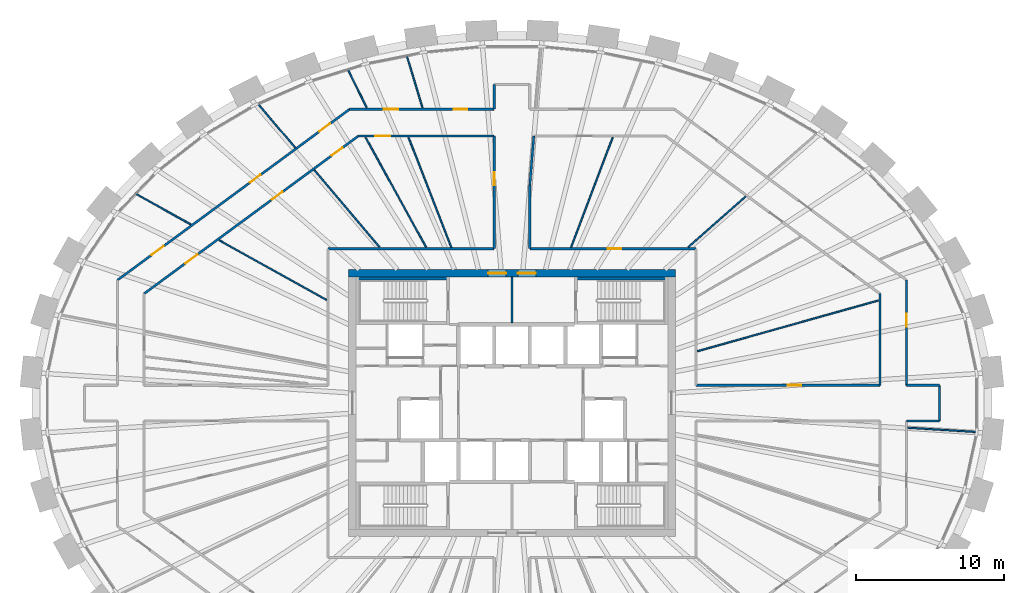
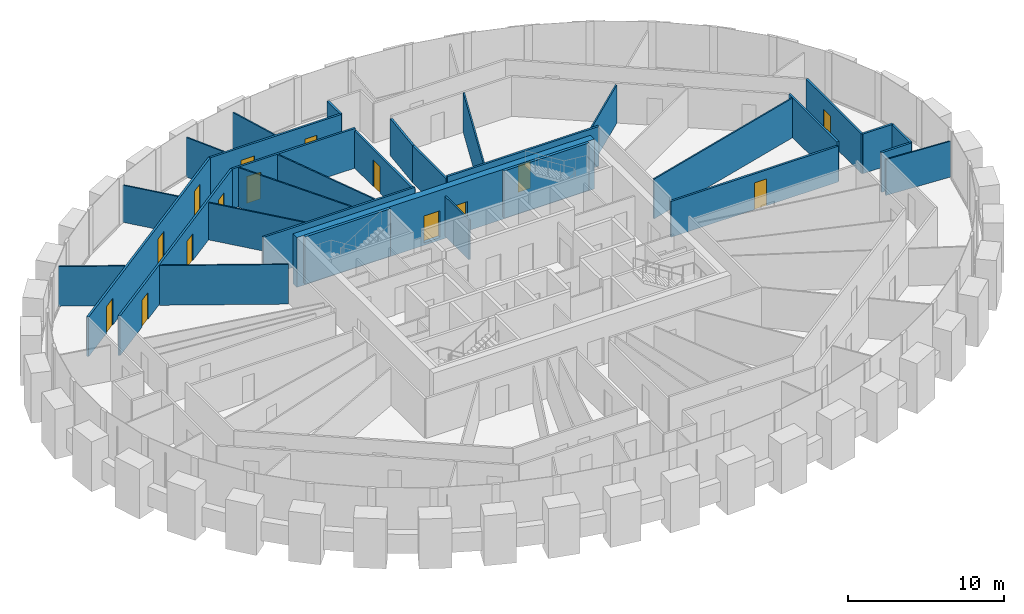
# One storey, part 10 of 12: 32 walls, 15 doors, 15 openings.
"""IFC4 building model written with IfcOpenShell, lengths in metres."""

from ifc_helpers import new_model, si_unit, direction, frame, frame_2d, origin, place, context, subcontext, project, spatial, rectangle, extrude, source, transform, mapped, material, layer, layer_set, type_object, element, fill, save


model = new_model("IFC4")

# Units and contexts
model_context = context("Model", 3, precision=1e-05, world=origin(), true_north=direction((0.0, 1.0)))
body_context = subcontext(model_context, "Body", "Model", "MODEL_VIEW")
ifc_project = project(units=[si_unit("LENGTHUNIT", "METRE"), si_unit("AREAUNIT", "SQUARE_METRE"), si_unit("VOLUMEUNIT", "CUBIC_METRE"), si_unit("PLANEANGLEUNIT", "RADIAN"), si_unit("MASSUNIT", "GRAM", prefix="KILO")], contexts=[model_context])

# Site, building, storey
site_placement = place(None, origin())
site = spatial("IfcSite", under=ifc_project, at=site_placement, CompositionType="ELEMENT")
building_placement = place(site_placement, origin())
building = spatial("IfcBuilding", under=site, at=building_placement, Name="Embergate Tower", CompositionType="ELEMENT")
storey_placement = place(building_placement, frame((0.0, 0.0, 269.5)))
storey = spatial("IfcBuildingStorey", under=building, at=storey_placement, Name="L62", CompositionType="ELEMENT", Elevation=269.5)

# Wall, openings, doors
ifc_material_1 = material(Name="Concrete C50", Category="concrete")
ifc_layer_1 = layer(ifc_material_1, 0.5)
ifc_layer_set_1 = layer_set([ifc_layer_1], Name="Concrete C50")
wall_type_1 = type_object("IfcWallType", Name="Core outer wall C50 500", PredefinedType="SHEAR", material=ifc_layer_set_1)
shared_shape_1 = source(origin(), body_context, "Body", "SweptSolid", [
    extrude(rectangle(XDim=22.0, YDim=0.5, at=frame_2d((11.0, 0.0))), origin(), (0.0, 0.0, 1.0), 3.89990234375),
])
wall_1_placement = place(storey_placement, frame((-11.0, 8.75, -0.199951171875), z_axis=(0.0, 0.0, 1.0), x_axis=(1.0, 0.0, 0.0)))
wall_1 = element("IfcWall", 1, at=wall_1_placement, inside=storey, type_object=wall_type_1, Name="CW-L62-N", PredefinedType="SHEAR", context=body_context, shape_type="MappedRepresentation", body=[
    mapped(shared_shape_1, transform((0.0, 0.0, 0.0))),
])
shared_shape_2 = source(origin(), body_context, "Body", "SweptSolid", [
    extrude(rectangle(XDim=1.199951171875, YDim=2.10009765625, at=frame_2d((0.60009765625, 1.050048828125))), frame((0.0, 0.260009765625, 0.0), z_axis=(0.0, -1.0, 0.0), x_axis=(1.0, 0.0, 0.0)), (0.0, 0.0, 1.0), 0.52001953125),
])
opening_1_placement = place(wall_1_placement, frame((9.39990234375, 0.0, 0.199951171875)))
opening_1 = element("IfcOpeningElement", 2, at=opening_1_placement, cuts=wall_1, Name="Opening IF-1", PredefinedType="OPENING", context=body_context, shape_type="MappedRepresentation", body=[
    mapped(shared_shape_2, transform((0.0, 0.0, 0.0))),
])
opening_2_placement = place(wall_1_placement, frame((11.39990234375, 0.0, 0.199951171875)))
opening_2 = element("IfcOpeningElement", 3, at=opening_2_placement, cuts=wall_1, Name="Opening IF-1", PredefinedType="OPENING", context=body_context, shape_type="MappedRepresentation", body=[
    mapped(shared_shape_2, transform((0.0, 0.0, 0.0))),
])
ifc_material_2 = material(Name="Escape fire door 1200")
door_type_1 = type_object("IfcDoorType", Name="Escape fire door 1200", OperationType="SINGLE_SWING_LEFT", PredefinedType="DOOR", material=ifc_material_2)
shared_shape_3 = source(origin(), body_context, "Body", "SweptSolid", [
    extrude(rectangle(XDim=1.199951171875, YDim=2.10009765625, at=frame_2d((0.60009765625, 1.050048828125))), frame((0.0, 0.02490234375, 0.0), z_axis=(0.0, -1.0, 0.0), x_axis=(1.0, 0.0, 0.0)), (0.0, 0.0, 1.0), 0.050048828125),
])
door_1_placement = place(opening_1_placement, origin())
door_1 = element("IfcDoor", 4, at=door_1_placement, inside=storey, type_object=door_type_1, Name="IF-1 door", OperationType="SINGLE_SWING_LEFT", OverallHeight=2.10009765625, OverallWidth=1.199951171875, PredefinedType="DOOR", context=body_context, shape_type="MappedRepresentation", body=[
    mapped(shared_shape_3, transform((0.0, 0.0, 0.0))),
])
fill(opening_1, door_1)
door_2_placement = place(opening_2_placement, origin())
door_2 = element("IfcDoor", 5, at=door_2_placement, inside=storey, type_object=door_type_1, Name="IF-1 door", OperationType="SINGLE_SWING_RIGHT", OverallHeight=2.10009765625, OverallWidth=1.199951171875, PredefinedType="DOOR", context=body_context, shape_type="MappedRepresentation", body=[
    mapped(shared_shape_3, transform((0.0, 0.0, 0.0))),
])
fill(opening_2, door_2)

# Walls
ifc_layer_2 = layer(ifc_material_1, 0.199951171875)
ifc_layer_set_2 = layer_set([ifc_layer_2], Name="Concrete C50")
wall_type_2 = type_object("IfcWallType", Name="Stair enclosure wall reinforced concrete 250", PredefinedType="SHEAR", material=ifc_layer_set_2)
shared_shape_4 = source(origin(), body_context, "Body", "SweptSolid", [
    extrude(rectangle(XDim=6.298095703125, YDim=0.199951171875, at=frame_2d((3.14892578125, 0.0))), origin(), (0.0, 0.0, 1.0), 3.699951171875),
])
for number, where, z_axis, x_axis, name in (
    (6, (-4.201904296875, 8.39990234375, 0.0), (0.0, 0.0, 1.0), (-1.0, 0.0, 0.0), "SE-1 wall"),
    (7, (10.5, 8.39990234375, 0.0), (0.0, 0.0, 1.0), (-1.0, 0.0, 0.0), "SE-1 wall"),
):
    element("IfcWall", number, at=place(storey_placement, frame(where, z_axis=z_axis, x_axis=x_axis)), inside=storey, type_object=wall_type_2, Name=name, PredefinedType="SHEAR", context=body_context, shape_type="MappedRepresentation", body=[
        mapped(shared_shape_4, transform((0.0, 0.0, 0.0))),
    ])

# Wall, opening, door
ifc_material_3 = material(Name="Corridor wall dry-lined 150")
ifc_layer_3 = layer(ifc_material_3, 0.14990234375)
ifc_layer_set_3 = layer_set([ifc_layer_3], Name="Corridor wall dry-lined 150")
wall_type_3 = type_object("IfcWallType", Name="Corridor wall dry-lined 150", PredefinedType="PARTITIONING", material=ifc_layer_set_3)
shared_shape_5 = source(origin(), body_context, "Body", "SweptSolid", [
    extrude(rectangle(XDim=11.199951171875, YDim=0.14990234375, at=frame_2d((5.60009765625, 0.0))), origin(), (0.0, 0.0, 1.0), 3.10009765625),
])
wall_2_placement = place(storey_placement, frame((1.199951171875, 10.39990234375, 0.0), z_axis=(0.0, 0.0, 1.0), x_axis=(1.0, 0.0, 0.0)))
wall_2 = element("IfcWall", 8, at=wall_2_placement, inside=storey, type_object=wall_type_3, Name="IP-2 wall", PredefinedType="PARTITIONING", context=body_context, shape_type="MappedRepresentation", body=[
    mapped(shared_shape_5, transform((0.0, 0.0, 0.0))),
])
shared_shape_6 = source(origin(), body_context, "Body", "SweptSolid", [
    extrude(rectangle(XDim=0.89990234375, YDim=2.10009765625, at=frame_2d((0.449951171875, 1.050048828125))), frame((0.0, 0.0849609375, 0.0), z_axis=(0.0, -1.0, 0.0), x_axis=(1.0, 0.0, 0.0)), (0.0, 0.0, 1.0), 0.169921875),
])
opening_3_placement = place(wall_2_placement, frame((5.248046875, 0.0, 0.0)))
opening_3 = element("IfcOpeningElement", 9, at=opening_3_placement, cuts=wall_2, Name="Opening IF-1c", PredefinedType="OPENING", context=body_context, shape_type="MappedRepresentation", body=[
    mapped(shared_shape_6, transform((0.0, 0.0, 0.0))),
])
ifc_material_4 = material(Name="Escape fire door 900")
door_type_2 = type_object("IfcDoorType", Name="Escape fire door 900", OperationType="SINGLE_SWING_LEFT", PredefinedType="DOOR", material=ifc_material_4)
shared_shape_7 = source(origin(), body_context, "Body", "SweptSolid", [
    extrude(rectangle(XDim=0.89990234375, YDim=2.10009765625, at=frame_2d((0.449951171875, 1.050048828125))), frame((0.0, 0.02490234375, 0.0), z_axis=(0.0, -1.0, 0.0), x_axis=(1.0, 0.0, 0.0)), (0.0, 0.0, 1.0), 0.050048828125),
])
door_3_placement = place(opening_3_placement, origin())
door_3 = element("IfcDoor", 10, at=door_3_placement, inside=storey, type_object=door_type_2, Name="IF-1 door", OperationType="SINGLE_SWING_RIGHT", OverallHeight=2.10009765625, OverallWidth=0.89990234375, PredefinedType="DOOR", context=body_context, shape_type="MappedRepresentation", body=[
    mapped(shared_shape_7, transform((0.0, 0.0, 0.0))),
])
fill(opening_3, door_3)

# Walls
wall_3_placement = place(storey_placement, frame((-12.39990234375, 10.39990234375, 0.0), z_axis=(0.0, 0.0, 1.0), x_axis=(1.0, 0.0, 0.0)))
element("IfcWall", 11, at=wall_3_placement, inside=storey, type_object=wall_type_3, Name="IP-2 wall", PredefinedType="PARTITIONING", context=body_context, shape_type="MappedRepresentation", body=[
    mapped(shared_shape_5, transform((0.0, 0.0, 0.0))),
])
shared_shape_8 = source(origin(), body_context, "Body", "SweptSolid", [
    extrude(rectangle(XDim=2.39990234375, YDim=0.14990234375, at=frame_2d((1.199951171875, 0.0))), origin(), (0.0, 0.0, 1.0), 3.10009765625),
])
wall_4_placement = place(storey_placement, frame((28.797119140625, -1.199951171875, 0.0), z_axis=(0.0, 0.0, 1.0), x_axis=(0.0, 1.0, 0.0)))
element("IfcWall", 12, at=wall_4_placement, inside=storey, type_object=wall_type_3, Name="IP-2 wall", PredefinedType="PARTITIONING", context=body_context, shape_type="MappedRepresentation", body=[
    mapped(shared_shape_8, transform((0.0, 0.0, 0.0))),
])
ifc_material_5 = material(Name="Core partition blockwork 120")
ifc_layer_4 = layer(ifc_material_5, 0.1201171875)
ifc_layer_set_4 = layer_set([ifc_layer_4], Name="Core partition blockwork 120")
wall_type_4 = type_object("IfcWallType", Name="Core partition blockwork 120", PredefinedType="PARTITIONING", material=ifc_layer_set_4)
shared_shape_9 = source(origin(), body_context, "Body", "SweptSolid", [
    extrude(rectangle(XDim=3.074951171875, YDim=0.1201171875, at=frame_2d((1.53759765625, 0.0))), origin(), (0.0, 0.0, 1.0), 3.10009765625),
])
wall_5_placement = place(storey_placement, frame((0.0, 5.425048828125, 0.0), z_axis=(0.0, 0.0, 1.0), x_axis=(0.0, 1.0, 0.0)))
element("IfcWall", 13, at=wall_5_placement, inside=storey, type_object=wall_type_4, Name="IP-3 wall", PredefinedType="PARTITIONING", context=body_context, shape_type="MappedRepresentation", body=[
    mapped(shared_shape_9, transform((0.0, 0.0, 0.0))),
])

# Wall, openings, doors
shared_shape_10 = source(origin(), body_context, "Body", "SweptSolid", [
    extrude(rectangle(XDim=19.429931640625, YDim=0.14990234375, at=frame_2d((9.71484375, 0.0))), origin(), (0.0, 0.0, 1.0), 3.10009765625),
])
wall_6_placement = place(storey_placement, frame((-10.93310546875, 19.802001953125, 0.0), z_axis=(0.0, 0.0, 1.0), x_axis=(-0.8053507143, -0.592798639486, 0.0)))
wall_6 = element("IfcWall", 14, at=wall_6_placement, inside=storey, type_object=wall_type_3, Name="IP-2 wall", PredefinedType="PARTITIONING", context=body_context, shape_type="MappedRepresentation", body=[
    mapped(shared_shape_10, transform((0.0, 0.0, 0.0))),
])
opening_4_placement = place(wall_6_placement, frame((1.64599609375, 0.0, 0.0)))
opening_4 = element("IfcOpeningElement", 15, at=opening_4_placement, cuts=wall_6, Name="Opening IF-1c", PredefinedType="OPENING", context=body_context, shape_type="MappedRepresentation", body=[
    mapped(shared_shape_6, transform((0.0, 0.0, 0.0))),
])
opening_5_placement = place(wall_6_placement, frame((7.449462890625, 0.0, 0.0)))
opening_5 = element("IfcOpeningElement", 16, at=opening_5_placement, cuts=wall_6, Name="Opening IF-1c", PredefinedType="OPENING", context=body_context, shape_type="MappedRepresentation", body=[
    mapped(shared_shape_6, transform((0.0, 0.0, 0.0))),
])
shared_shape_11 = source(origin(), body_context, "Body", "SweptSolid", [
    extrude(rectangle(XDim=1.0, YDim=2.10009765625, at=frame_2d((0.5, 1.050048828125))), frame((0.0, 0.0849609375, 0.0), z_axis=(0.0, -1.0, 0.0), x_axis=(1.0, 0.0, 0.0)), (0.0, 0.0, 1.0), 0.169921875),
])
opening_6_placement = place(wall_6_placement, frame((15.571044921875, 0.0, 0.0)))
opening_6 = element("IfcOpeningElement", 17, at=opening_6_placement, cuts=wall_6, Name="Opening ID-2", PredefinedType="OPENING", context=body_context, shape_type="MappedRepresentation", body=[
    mapped(shared_shape_11, transform((0.0, 0.0, 0.0))),
])
door_4_placement = place(opening_4_placement, origin())
door_4 = element("IfcDoor", 18, at=door_4_placement, inside=storey, type_object=door_type_2, Name="IF-1 door", OperationType="SINGLE_SWING_LEFT", OverallHeight=2.10009765625, OverallWidth=0.89990234375, PredefinedType="DOOR", context=body_context, shape_type="MappedRepresentation", body=[
    mapped(shared_shape_7, transform((0.0, 0.0, 0.0))),
])
fill(opening_4, door_4)
door_5_placement = place(opening_5_placement, origin())
door_5 = element("IfcDoor", 19, at=door_5_placement, inside=storey, type_object=door_type_2, Name="IF-1 door", OperationType="SINGLE_SWING_LEFT", OverallHeight=2.10009765625, OverallWidth=0.89990234375, PredefinedType="DOOR", context=body_context, shape_type="MappedRepresentation", body=[
    mapped(shared_shape_7, transform((0.0, 0.0, 0.0))),
])
fill(opening_5, door_5)
ifc_material_6 = material(Name="Interior door 1000")
door_type_3 = type_object("IfcDoorType", Name="Interior door 1000", OperationType="SINGLE_SWING_LEFT", PredefinedType="DOOR", material=ifc_material_6)
shared_shape_12 = source(origin(), body_context, "Body", "SweptSolid", [
    extrude(rectangle(XDim=1.0, YDim=2.10009765625, at=frame_2d((0.5, 1.050048828125))), frame((0.0, 0.02490234375, 0.0), z_axis=(0.0, -1.0, 0.0), x_axis=(1.0, 0.0, 0.0)), (0.0, 0.0, 1.0), 0.050048828125),
])
door_6_placement = place(opening_6_placement, origin())
door_6 = element("IfcDoor", 20, at=door_6_placement, inside=storey, type_object=door_type_3, Name="ID-2 door", OperationType="SINGLE_SWING_LEFT", OverallHeight=2.10009765625, OverallWidth=1.0, PredefinedType="DOOR", context=body_context, shape_type="MappedRepresentation", body=[
    mapped(shared_shape_12, transform((0.0, 0.0, 0.0))),
])
fill(opening_6, door_6)

shared_shape_13 = source(origin(), body_context, "Body", "SweptSolid", [
    extrude(rectangle(XDim=9.733154296875, YDim=0.14990234375, at=frame_2d((4.86669921875, 0.0))), origin(), (0.0, 0.0, 1.0), 3.10009765625),
])
wall_7_placement = place(storey_placement, frame((-10.93310546875, 19.802001953125, 0.0), z_axis=(0.0, 0.0, 1.0), x_axis=(1.0, 0.0, 0.0)))
wall_7 = element("IfcWall", 21, at=wall_7_placement, inside=storey, type_object=wall_type_3, Name="IP-2 wall", PredefinedType="PARTITIONING", context=body_context, shape_type="MappedRepresentation", body=[
    mapped(shared_shape_13, transform((0.0, 0.0, 0.0))),
])
opening_7_placement = place(wall_7_placement, frame((7.01611328125, 0.0, 0.0)))
opening_7 = element("IfcOpeningElement", 22, at=opening_7_placement, cuts=wall_7, Name="Opening IF-1c", PredefinedType="OPENING", context=body_context, shape_type="MappedRepresentation", body=[
    mapped(shared_shape_6, transform((0.0, 0.0, 0.0))),
])
opening_8_placement = place(wall_7_placement, frame((2.285888671875, 0.0, 0.0)))
opening_8 = element("IfcOpeningElement", 23, at=opening_8_placement, cuts=wall_7, Name="Opening ID-2", PredefinedType="OPENING", context=body_context, shape_type="MappedRepresentation", body=[
    mapped(shared_shape_11, transform((0.0, 0.0, 0.0))),
])
door_7_placement = place(opening_7_placement, origin())
door_7 = element("IfcDoor", 24, at=door_7_placement, inside=storey, type_object=door_type_2, Name="IF-1 door", OperationType="SINGLE_SWING_LEFT", OverallHeight=2.10009765625, OverallWidth=0.89990234375, PredefinedType="DOOR", context=body_context, shape_type="MappedRepresentation", body=[
    mapped(shared_shape_7, transform((0.0, 0.0, 0.0))),
])
fill(opening_7, door_7)
door_8_placement = place(opening_8_placement, origin())
door_8 = element("IfcDoor", 25, at=door_8_placement, inside=storey, type_object=door_type_3, Name="ID-2 door", OperationType="SINGLE_SWING_LEFT", OverallHeight=2.10009765625, OverallWidth=1.0, PredefinedType="DOOR", context=body_context, shape_type="MappedRepresentation", body=[
    mapped(shared_shape_12, transform((0.0, 0.0, 0.0))),
])
fill(opening_8, door_8)

shared_shape_14 = source(origin(), body_context, "Body", "SweptSolid", [
    extrude(rectangle(XDim=17.9287109375, YDim=0.14990234375, at=frame_2d((8.96435546875, 0.0))), origin(), (0.0, 0.0, 1.0), 3.10009765625),
])
wall_8_placement = place(storey_placement, frame((-24.781005859375, 7.3740234375, 0.0), z_axis=(0.0, 0.0, 1.0), x_axis=(0.805356928681, 0.592790196803, 0.0)))
wall_8 = element("IfcWall", 26, at=wall_8_placement, inside=storey, type_object=wall_type_3, Name="IP-2 wall", PredefinedType="PARTITIONING", context=body_context, shape_type="MappedRepresentation", body=[
    mapped(shared_shape_14, transform((0.0, 0.0, 0.0))),
])
opening_9_placement = place(wall_8_placement, frame((15.681396484375, 0.0, 0.0)))
opening_9 = element("IfcOpeningElement", 27, at=opening_9_placement, cuts=wall_8, Name="Opening IF-1c", PredefinedType="OPENING", context=body_context, shape_type="MappedRepresentation", body=[
    mapped(shared_shape_6, transform((0.0, 0.0, 0.0))),
])
opening_10_placement = place(wall_8_placement, frame((10.68408203125, 0.0, 0.0)))
opening_10 = element("IfcOpeningElement", 28, at=opening_10_placement, cuts=wall_8, Name="Opening IF-1c", PredefinedType="OPENING", context=body_context, shape_type="MappedRepresentation", body=[
    mapped(shared_shape_6, transform((0.0, 0.0, 0.0))),
])
opening_11_placement = place(wall_8_placement, frame((3.449462890625, 0.0, 0.0)))
opening_11 = element("IfcOpeningElement", 29, at=opening_11_placement, cuts=wall_8, Name="Opening ID-2", PredefinedType="OPENING", context=body_context, shape_type="MappedRepresentation", body=[
    mapped(shared_shape_11, transform((0.0, 0.0, 0.0))),
])
door_9_placement = place(opening_9_placement, origin())
door_9 = element("IfcDoor", 30, at=door_9_placement, inside=storey, type_object=door_type_2, Name="IF-1 door", OperationType="SINGLE_SWING_LEFT", OverallHeight=2.10009765625, OverallWidth=0.89990234375, PredefinedType="DOOR", context=body_context, shape_type="MappedRepresentation", body=[
    mapped(shared_shape_7, transform((0.0, 0.0, 0.0))),
])
fill(opening_9, door_9)
door_10_placement = place(opening_10_placement, origin())
door_10 = element("IfcDoor", 31, at=door_10_placement, inside=storey, type_object=door_type_2, Name="IF-1 door", OperationType="SINGLE_SWING_LEFT", OverallHeight=2.10009765625, OverallWidth=0.89990234375, PredefinedType="DOOR", context=body_context, shape_type="MappedRepresentation", body=[
    mapped(shared_shape_7, transform((0.0, 0.0, 0.0))),
])
fill(opening_10, door_10)
door_11_placement = place(opening_11_placement, origin())
door_11 = element("IfcDoor", 32, at=door_11_placement, inside=storey, type_object=door_type_3, Name="ID-2 door", OperationType="SINGLE_SWING_RIGHT", OverallHeight=2.10009765625, OverallWidth=1.0, PredefinedType="DOOR", context=body_context, shape_type="MappedRepresentation", body=[
    mapped(shared_shape_12, transform((0.0, 0.0, 0.0))),
])
fill(opening_11, door_11)

# Wall, opening, door
shared_shape_15 = source(origin(), body_context, "Body", "SweptSolid", [
    extrude(rectangle(XDim=9.14208984375, YDim=0.14990234375, at=frame_2d((4.571044921875, 0.0))), origin(), (0.0, 0.0, 1.0), 3.10009765625),
])
wall_9_placement = place(storey_placement, frame((-1.199951171875, 18.001953125, 0.0), z_axis=(0.0, 0.0, 1.0), x_axis=(-1.0, 0.0, 0.0)))
wall_9 = element("IfcWall", 33, at=wall_9_placement, inside=storey, type_object=wall_type_3, Name="IP-2 wall", PredefinedType="PARTITIONING", context=body_context, shape_type="MappedRepresentation", body=[
    mapped(shared_shape_15, transform((0.0, 0.0, 0.0))),
])
opening_12_placement = place(wall_9_placement, frame((7.012939453125, 0.0, 0.0)))
opening_12 = element("IfcOpeningElement", 34, at=opening_12_placement, cuts=wall_9, Name="Opening ID-2", PredefinedType="OPENING", context=body_context, shape_type="MappedRepresentation", body=[
    mapped(shared_shape_11, transform((0.0, 0.0, 0.0))),
])
door_12_placement = place(opening_12_placement, origin())
door_12 = element("IfcDoor", 35, at=door_12_placement, inside=storey, type_object=door_type_3, Name="ID-2 door", OperationType="SINGLE_SWING_RIGHT", OverallHeight=2.10009765625, OverallWidth=1.0, PredefinedType="DOOR", context=body_context, shape_type="MappedRepresentation", body=[
    mapped(shared_shape_12, transform((0.0, 0.0, 0.0))),
])
fill(opening_12, door_12)

# Wall
shared_shape_16 = source(origin(), body_context, "Body", "SweptSolid", [
    extrude(rectangle(XDim=1.656982421875, YDim=0.14990234375, at=frame_2d((0.82861328125, 0.0))), origin(), (0.0, 0.0, 1.0), 3.10009765625),
])
wall_10_placement = place(storey_placement, frame((-1.199951171875, 19.802001953125, 0.0), z_axis=(0.0, 0.0, 1.0), x_axis=(0.0, 1.0, 0.0)))
element("IfcWall", 36, at=wall_10_placement, inside=storey, type_object=wall_type_3, Name="IP-2 wall", PredefinedType="PARTITIONING", context=body_context, shape_type="MappedRepresentation", body=[
    mapped(shared_shape_16, transform((0.0, 0.0, 0.0))),
])

# Wall, opening, door
shared_shape_17 = source(origin(), body_context, "Body", "SweptSolid", [
    extrude(rectangle(XDim=7.60205078125, YDim=0.14990234375, at=frame_2d((3.801025390625, 0.0))), origin(), (0.0, 0.0, 1.0), 2.89990234375),
])
wall_11_placement = place(storey_placement, frame((-1.199951171875, 10.39990234375, 0.0), z_axis=(0.0, 0.0, 1.0), x_axis=(0.0, 1.0, 0.0)))
wall_11 = element("IfcWall", 37, at=wall_11_placement, inside=storey, type_object=wall_type_3, Name="IP-2 wall", PredefinedType="PARTITIONING", context=body_context, shape_type="MappedRepresentation", body=[
    mapped(shared_shape_17, transform((0.0, 0.0, 0.0))),
])
opening_13_placement = place(wall_11_placement, frame((4.26611328125, 0.0, 0.0)))
opening_13 = element("IfcOpeningElement", 38, at=opening_13_placement, cuts=wall_11, Name="Opening IF-1c", PredefinedType="OPENING", context=body_context, shape_type="MappedRepresentation", body=[
    mapped(shared_shape_6, transform((0.0, 0.0, 0.0))),
])
door_13_placement = place(opening_13_placement, origin())
door_13 = element("IfcDoor", 39, at=door_13_placement, inside=storey, type_object=door_type_2, Name="IF-1 door", OperationType="SINGLE_SWING_RIGHT", OverallHeight=2.10009765625, OverallWidth=0.89990234375, PredefinedType="DOOR", context=body_context, shape_type="MappedRepresentation", body=[
    mapped(shared_shape_7, transform((0.0, 0.0, 0.0))),
])
fill(opening_13, door_13)

shared_shape_18 = source(origin(), body_context, "Body", "SweptSolid", [
    extrude(rectangle(XDim=7.083984375, YDim=0.14990234375, at=frame_2d((3.5419921875, 0.0))), origin(), (0.0, 0.0, 1.0), 3.10009765625),
])
wall_12_placement = place(storey_placement, frame((26.5810546875, 1.199951171875, 0.0), z_axis=(0.0, 0.0, 1.0), x_axis=(0.0, 1.0, 0.0)))
wall_12 = element("IfcWall", 40, at=wall_12_placement, inside=storey, type_object=wall_type_3, Name="IP-2 wall", PredefinedType="PARTITIONING", context=body_context, shape_type="MappedRepresentation", body=[
    mapped(shared_shape_18, transform((0.0, 0.0, 0.0))),
])
opening_14_placement = place(wall_12_placement, frame((3.929931640625, 0.0, 0.0)))
opening_14 = element("IfcOpeningElement", 41, at=opening_14_placement, cuts=wall_12, Name="Opening IF-1c", PredefinedType="OPENING", context=body_context, shape_type="MappedRepresentation", body=[
    mapped(shared_shape_6, transform((0.0, 0.0, 0.0))),
])
door_14_placement = place(opening_14_placement, origin())
door_14 = element("IfcDoor", 42, at=door_14_placement, inside=storey, type_object=door_type_2, Name="IF-1 door", OperationType="SINGLE_SWING_RIGHT", OverallHeight=2.10009765625, OverallWidth=0.89990234375, PredefinedType="DOOR", context=body_context, shape_type="MappedRepresentation", body=[
    mapped(shared_shape_7, transform((0.0, 0.0, 0.0))),
])
fill(opening_14, door_14)

# Walls
shared_shape_19 = source(origin(), body_context, "Body", "SweptSolid", [
    extrude(rectangle(XDim=2.216064453125, YDim=0.14990234375, at=frame_2d((1.10791015625, 0.0))), origin(), (0.0, 0.0, 1.0), 3.10009765625),
])
for number, where, z_axis, x_axis, name in (
    (43, (26.5810546875, -1.199951171875, 0.0), (0.0, 0.0, 1.0), (1.0, 0.0, 0.0), "IP-2 wall"),
    (44, (28.797119140625, 1.199951171875, 0.0), (0.0, 0.0, 1.0), (-1.0, 0.0, 0.0), "IP-2 wall"),
):
    element("IfcWall", number, at=place(storey_placement, frame(where, z_axis=z_axis, x_axis=x_axis)), inside=storey, type_object=wall_type_3, Name=name, PredefinedType="PARTITIONING", context=body_context, shape_type="MappedRepresentation", body=[
        mapped(shared_shape_19, transform((0.0, 0.0, 0.0))),
    ])

# Wall, opening, door
shared_shape_20 = source(origin(), body_context, "Body", "SweptSolid", [
    extrude(rectangle(XDim=12.381103515625, YDim=0.14990234375, at=frame_2d((6.1904296875, 0.0))), origin(), (0.0, 0.0, 1.0), 2.800048828125),
])
wall_13_placement = place(storey_placement, frame((12.39990234375, 1.199951171875, 0.0), z_axis=(0.0, 0.0, 1.0), x_axis=(1.0, 0.0, 0.0)))
wall_13 = element("IfcWall", 45, at=wall_13_placement, inside=storey, type_object=wall_type_3, Name="IP-2 wall", PredefinedType="PARTITIONING", context=body_context, shape_type="MappedRepresentation", body=[
    mapped(shared_shape_20, transform((0.0, 0.0, 0.0))),
])
opening_15_placement = place(wall_13_placement, frame((6.176025390625, 0.0, 0.0)))
opening_15 = element("IfcOpeningElement", 46, at=opening_15_placement, cuts=wall_13, Name="Opening IF-1c", PredefinedType="OPENING", context=body_context, shape_type="MappedRepresentation", body=[
    mapped(shared_shape_6, transform((0.0, 0.0, 0.0))),
])
door_15_placement = place(opening_15_placement, origin())
door_15 = element("IfcDoor", 47, at=door_15_placement, inside=storey, type_object=door_type_2, Name="IF-1 door", OperationType="SINGLE_SWING_LEFT", OverallHeight=2.10009765625, OverallWidth=0.89990234375, PredefinedType="DOOR", context=body_context, shape_type="MappedRepresentation", body=[
    mapped(shared_shape_7, transform((0.0, 0.0, 0.0))),
])
fill(opening_15, door_15)

# Walls
shared_shape_21 = source(origin(), body_context, "Body", "SweptSolid", [
    extrude(rectangle(XDim=6.174072265625, YDim=0.14990234375, at=frame_2d((3.0869140625, 0.0))), origin(), (0.0, 0.0, 1.0), 3.10009765625),
])
wall_14_placement = place(storey_placement, frame((24.781005859375, 1.199951171875, 0.0), z_axis=(0.0, 0.0, 1.0), x_axis=(0.0, 1.0, 0.0)))
element("IfcWall", 48, at=wall_14_placement, inside=storey, type_object=wall_type_3, Name="IP-2 wall", PredefinedType="PARTITIONING", context=body_context, shape_type="MappedRepresentation", body=[
    mapped(shared_shape_21, transform((0.0, 0.0, 0.0))),
])
shared_shape_22 = source(origin(), body_context, "Body", "SweptSolid", [
    extrude(rectangle(XDim=4.2900390625, YDim=0.14990234375, at=frame_2d((2.14501953125, 0.0))), origin(), (0.0, 0.0, 1.0), 2.89990234375),
])
wall_15_placement = place(storey_placement, frame((1.199951171875, 10.39990234375, 0.0), z_axis=(0.0, 0.0, 1.0), x_axis=(0.0, 1.0, 0.0)))
element("IfcWall", 49, at=wall_15_placement, inside=storey, type_object=wall_type_3, Name="IP-2 wall", PredefinedType="PARTITIONING", context=body_context, shape_type="MappedRepresentation", body=[
    mapped(shared_shape_22, transform((0.0, 0.0, 0.0))),
])
shared_shape_23 = source(origin(), body_context, "Body", "SweptSolid", [
    extrude(rectangle(XDim=3.322998046875, YDim=0.14990234375, at=frame_2d((1.66162109375, 0.0))), origin(), (0.0, 0.0, 1.0), 2.89990234375),
])
wall_16_placement = place(storey_placement, frame((1.199951171875, 14.68994140625, 0.0), z_axis=(0.0, 0.0, 1.0), x_axis=(0.081257746754, 0.996693121574, 0.0)))
element("IfcWall", 50, at=wall_16_placement, inside=storey, type_object=wall_type_3, Name="IP-2 wall", PredefinedType="PARTITIONING", context=body_context, shape_type="MappedRepresentation", body=[
    mapped(shared_shape_23, transform((0.0, 0.0, 0.0))),
])
ifc_material_7 = material(Name="Partition dry-lined 100")
ifc_layer_5 = layer(ifc_material_7, 0.10009765625)
ifc_layer_set_5 = layer_set([ifc_layer_5], Name="Partition dry-lined 100")
wall_type_5 = type_object("IfcWallType", Name="Partition dry-lined 100", PredefinedType="PARTITIONING", material=ifc_layer_set_5)
shared_shape_24 = source(origin(), body_context, "Body", "SweptSolid", [
    extrude(rectangle(XDim=4.64599609375, YDim=0.10009765625, at=frame_2d((2.322998046875, 0.0))), origin(), (0.0, 0.0, 1.0), 2.800048828125),
])
wall_17_placement = place(storey_placement, frame((26.656005859375, -1.656005859375, 0.0), z_axis=(0.0, 0.0, 1.0), x_axis=(0.998075615506, -0.062008594024, 0.0)))
element("IfcWall", 51, at=wall_17_placement, inside=storey, type_object=wall_type_5, Name="IP-1 wall", PredefinedType="PARTITIONING", context=body_context, shape_type="MappedRepresentation", body=[
    mapped(shared_shape_24, transform((0.0, 0.0, 0.0))),
])
shared_shape_25 = source(origin(), body_context, "Body", "SweptSolid", [
    extrude(rectangle(XDim=12.673583984375, YDim=0.10009765625, at=frame_2d((6.3369140625, 0.0))), origin(), (0.0, 0.0, 1.0), 3.10009765625),
])
wall_18_placement = place(storey_placement, frame((24.693115234375, 6.916015625, 0.0), z_axis=(0.0, 0.0, 1.0), x_axis=(-0.962947212239, -0.269689945014, 0.0)))
element("IfcWall", 52, at=wall_18_placement, inside=storey, type_object=wall_type_5, Name="IP-1 wall", PredefinedType="PARTITIONING", context=body_context, shape_type="MappedRepresentation", body=[
    mapped(shared_shape_25, transform((0.0, 0.0, 0.0))),
])
shared_shape_26 = source(origin(), body_context, "Body", "SweptSolid", [
    extrude(rectangle(XDim=5.15234375, YDim=0.10009765625, at=frame_2d((2.576171875, 0.0))), origin(), (0.0, 0.0, 1.0), 3.0),
])
wall_19_placement = place(storey_placement, frame((15.73388671875, 13.927001953125, 0.0), z_axis=(0.0, 0.0, 1.0), x_axis=(-0.748777646215, -0.662821270425, 0.0)))
element("IfcWall", 53, at=wall_19_placement, inside=storey, type_object=wall_type_5, Name="IP-1 wall", PredefinedType="PARTITIONING", context=body_context, shape_type="MappedRepresentation", body=[
    mapped(shared_shape_26, transform((0.0, 0.0, 0.0))),
])
shared_shape_27 = source(origin(), body_context, "Body", "SweptSolid", [
    extrude(rectangle(XDim=7.930908203125, YDim=0.10009765625, at=frame_2d((3.96533203125, 0.0))), origin(), (0.0, 0.0, 1.0), 3.10009765625),
])
wall_20_placement = place(storey_placement, frame((3.97607421875, 10.492919921875, 0.0), z_axis=(0.0, 0.0, 1.0), x_axis=(0.354440788606, 0.935078460543, 0.0)))
element("IfcWall", 54, at=wall_20_placement, inside=storey, type_object=wall_type_5, Name="IP-1 wall", PredefinedType="PARTITIONING", context=body_context, shape_type="MappedRepresentation", body=[
    mapped(shared_shape_27, transform((0.0, 0.0, 0.0))),
])
shared_shape_28 = source(origin(), body_context, "Body", "SweptSolid", [
    extrude(rectangle(XDim=3.70068359375, YDim=0.10009765625, at=frame_2d((1.850341796875, 0.0))), origin(), (0.0, 0.0, 1.0), 3.10009765625),
])
wall_21_placement = place(storey_placement, frame((-6.02587890625, 19.89111328125, 0.0), z_axis=(0.0, 0.0, 1.0), x_axis=(-0.289683288858, 0.957122558587, 0.0)))
element("IfcWall", 55, at=wall_21_placement, inside=storey, type_object=wall_type_5, Name="IP-1 wall", PredefinedType="PARTITIONING", context=body_context, shape_type="MappedRepresentation", body=[
    mapped(shared_shape_28, transform((0.0, 0.0, 0.0))),
])
shared_shape_29 = source(origin(), body_context, "Body", "SweptSolid", [
    extrude(rectangle(XDim=2.91015625, YDim=0.10009765625, at=frame_2d((1.455078125, 0.0))), origin(), (0.0, 0.0, 1.0), 3.10009765625),
])
wall_22_placement = place(storey_placement, frame((-9.785888671875, 19.89892578125, 0.0), z_axis=(0.0, 0.0, 1.0), x_axis=(-0.441600915611, 0.897211586713, 0.0)))
element("IfcWall", 56, at=wall_22_placement, inside=storey, type_object=wall_type_5, Name="IP-1 wall", PredefinedType="PARTITIONING", context=body_context, shape_type="MappedRepresentation", body=[
    mapped(shared_shape_29, transform((0.0, 0.0, 0.0))),
])
shared_shape_30 = source(origin(), body_context, "Body", "SweptSolid", [
    extrude(rectangle(XDim=3.89013671875, YDim=0.10009765625, at=frame_2d((1.945068359375, 0.0))), origin(), (0.0, 0.0, 1.0), 2.89990234375),
])
wall_23_placement = place(storey_placement, frame((-14.595947265625, 17.197998046875, 0.0), z_axis=(0.0, 0.0, 1.0), x_axis=(-0.647041578334, 0.762454717283, 0.0)))
element("IfcWall", 57, at=wall_23_placement, inside=storey, type_object=wall_type_5, Name="IP-1 wall", PredefinedType="PARTITIONING", context=body_context, shape_type="MappedRepresentation", body=[
    mapped(shared_shape_30, transform((0.0, 0.0, 0.0))),
])
shared_shape_31 = source(origin(), body_context, "Body", "SweptSolid", [
    extrude(rectangle(XDim=7.958251953125, YDim=0.10009765625, at=frame_2d((3.97900390625, 0.0))), origin(), (0.0, 0.0, 1.0), 3.10009765625),
])
wall_24_placement = place(storey_placement, frame((-4.0869140625, 10.492919921875, 0.0), z_axis=(0.0, 0.0, 1.0), x_axis=(-0.36279561713, 0.931868735494, 0.0)))
element("IfcWall", 58, at=wall_24_placement, inside=storey, type_object=wall_type_5, Name="IP-1 wall", PredefinedType="PARTITIONING", context=body_context, shape_type="MappedRepresentation", body=[
    mapped(shared_shape_31, transform((0.0, 0.0, 0.0))),
])
shared_shape_32 = source(origin(), body_context, "Body", "SweptSolid", [
    extrude(rectangle(XDim=8.452392578125, YDim=0.10009765625, at=frame_2d((4.22607421875, 0.0))), origin(), (0.0, 0.0, 1.0), 3.10009765625),
])
wall_25_placement = place(storey_placement, frame((-5.784912109375, 10.4990234375, 0.0), z_axis=(0.0, 0.0, 1.0), x_axis=(-0.482591640502, 0.875845482101, 0.0)))
element("IfcWall", 59, at=wall_25_placement, inside=storey, type_object=wall_type_5, Name="IP-1 wall", PredefinedType="PARTITIONING", context=body_context, shape_type="MappedRepresentation", body=[
    mapped(shared_shape_32, transform((0.0, 0.0, 0.0))),
])
shared_shape_33 = source(origin(), body_context, "Body", "SweptSolid", [
    extrude(rectangle(XDim=6.821533203125, YDim=0.10009765625, at=frame_2d((3.41064453125, 0.0))), origin(), (0.0, 0.0, 1.0), 2.89990234375),
])
wall_26_placement = place(storey_placement, frame((-8.91796875, 10.507080078125, 0.0), z_axis=(0.0, 0.0, 1.0), x_axis=(-0.64707581164, 0.762425664567, 0.0)))
element("IfcWall", 60, at=wall_26_placement, inside=storey, type_object=wall_type_5, Name="IP-1 wall", PredefinedType="PARTITIONING", context=body_context, shape_type="MappedRepresentation", body=[
    mapped(shared_shape_33, transform((0.0, 0.0, 0.0))),
])
shared_shape_34 = source(origin(), body_context, "Body", "SweptSolid", [
    extrude(rectangle(XDim=4.296875, YDim=0.10009765625, at=frame_2d((2.1484375, 0.0))), origin(), (0.0, 0.0, 1.0), 3.10009765625),
])
wall_27_placement = place(storey_placement, frame((-21.64208984375, 12.0390625, 0.0), z_axis=(0.0, 0.0, 1.0), x_axis=(-0.873878396728, 0.486144574929, 0.0)))
element("IfcWall", 61, at=wall_27_placement, inside=storey, type_object=wall_type_5, Name="IP-1 wall", PredefinedType="PARTITIONING", context=body_context, shape_type="MappedRepresentation", body=[
    mapped(shared_shape_34, transform((0.0, 0.0, 0.0))),
])
shared_shape_35 = source(origin(), body_context, "Body", "SweptSolid", [
    extrude(rectangle(XDim=8.272705078125, YDim=0.10009765625, at=frame_2d((4.13623046875, 0.0))), origin(), (0.0, 0.0, 1.0), 3.10009765625),
])
wall_28_placement = place(storey_placement, frame((-12.4990234375, 6.952880859375, 0.0), z_axis=(0.0, 0.0, 1.0), x_axis=(-0.873843879642, 0.486206616586, 0.0)))
element("IfcWall", 62, at=wall_28_placement, inside=storey, type_object=wall_type_5, Name="IP-1 wall", PredefinedType="PARTITIONING", context=body_context, shape_type="MappedRepresentation", body=[
    mapped(shared_shape_35, transform((0.0, 0.0, 0.0))),
])

save(model, "model.ifc")
